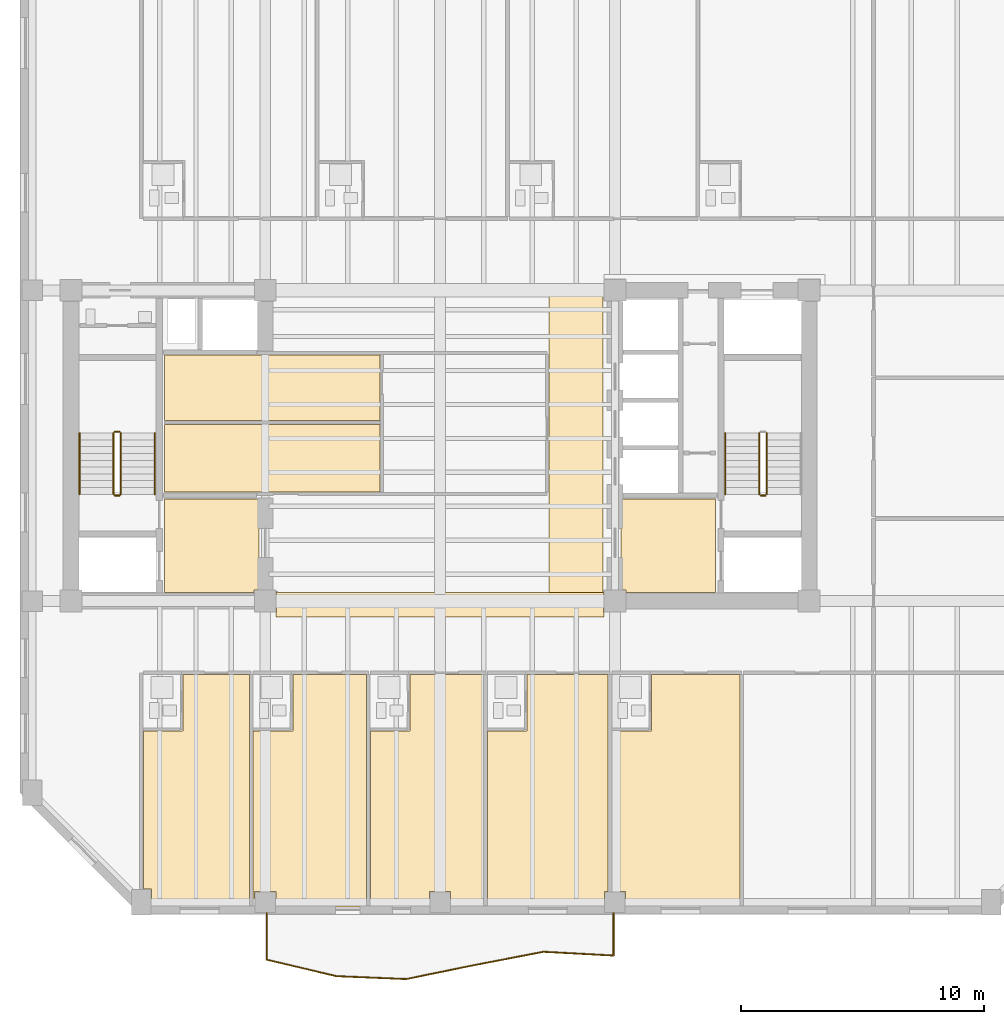
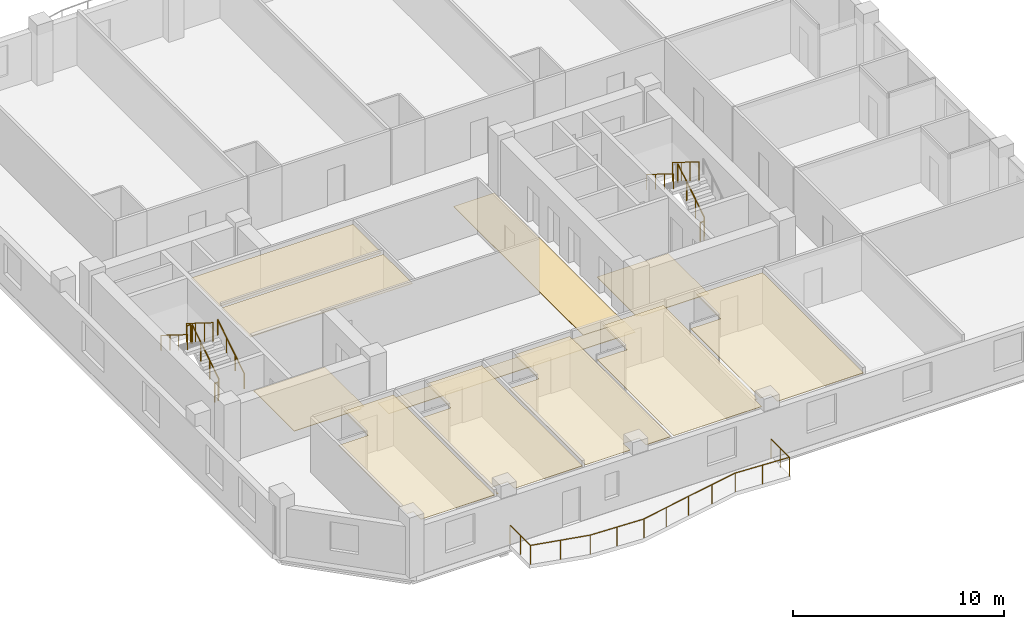
# One storey, part 8 of 11: 11 coverings, 11 railings.
"""IFC4 building model written with IfcOpenShell, lengths in metres."""

from ifc_helpers import new_model, si_unit, direction, frame, origin, origin_2d, place, context, subcontext, project, spatial, polyline, circle, outline, extrude, material, layer, layer_set, type_object, element, save


model = new_model("IFC4")

# Units and contexts
model_context = context("Model", 3, precision=1e-05, world=origin(), true_north=direction((0.0, 1.0)))
body_context = subcontext(model_context, "Body", "Model", "MODEL_VIEW")
ifc_project = project(units=[si_unit("LENGTHUNIT", "METRE"), si_unit("AREAUNIT", "SQUARE_METRE"), si_unit("VOLUMEUNIT", "CUBIC_METRE"), si_unit("PLANEANGLEUNIT", "RADIAN"), si_unit("MASSUNIT", "GRAM", prefix="KILO")], contexts=[model_context])

# Site, building, storey
site_placement = place(None, origin())
site = spatial("IfcSite", under=ifc_project, at=site_placement, CompositionType="ELEMENT")
building_placement = place(site_placement, origin())
building = spatial("IfcBuilding", under=site, at=building_placement, Name="Kranthara Brick Stack", CompositionType="ELEMENT")
storey_placement = place(building_placement, frame((0.0, 0.0, 172.800048828125)))
storey = spatial("IfcBuildingStorey", under=building, at=storey_placement, Name="L44", CompositionType="ELEMENT", Elevation=172.800048828125)

# Coverings
ifc_material_1 = material(Name="Perforated mineral-fibre acoustic ceiling tile", Category="other")
ifc_layer_1 = layer(ifc_material_1, 0.02490234375)
ifc_layer_set_1 = layer_set([ifc_layer_1], Name="Perforated mineral-fibre acoustic ceiling tile")
covering_type_1 = type_object("IfcCoveringType", Name="COV-CEIL-ACOUSTIC", PredefinedType="CEILING", material=ifc_layer_set_1)
covering_1_placement = place(storey_placement, frame((0.0, 0.0, 2.929931640625)))
element("IfcCovering", 1, at=covering_1_placement, inside=storey, type_object=covering_type_1, Name="L44 L44 Hotel Reading Room Acoustic Ceiling", PredefinedType="CEILING", context=body_context, shape_type="SweptSolid", body=[
    extrude(outline(polyline([(25.52001953125, 25.300048828125), (25.52001953125, 28.070068359375), (16.64990234375, 28.070068359375), (16.64990234375, 25.300048828125), (25.52001953125, 25.300048828125)])), origin(), (0.0, 0.0, 1.0), 0.02490234375),
])
covering_2_placement = place(storey_placement, frame((0.0, 0.0, 2.929931640625)))
element("IfcCovering", 2, at=covering_2_placement, inside=storey, type_object=covering_type_1, Name="L44 L44 Hotel Executive Briefing Salon Acoustic Ceiling", PredefinedType="CEILING", context=body_context, shape_type="SweptSolid", body=[
    extrude(outline(polyline([(25.52001953125, 28.22998046875), (25.52001953125, 30.93994140625), (16.64990234375, 30.93994140625), (16.64990234375, 28.22998046875), (25.52001953125, 28.22998046875)])), origin(), (0.0, 0.0, 1.0), 0.02490234375),
])
covering_3_placement = place(storey_placement, frame((0.0, 0.0, 2.929931640625)))
element("IfcCovering", 3, at=covering_3_placement, inside=storey, type_object=covering_type_1, Name="L44 Room L44-01 Hotel Guest Room Acoustic Ceiling", PredefinedType="CEILING", context=body_context, shape_type="SweptSolid", body=[
    extrude(outline(polyline([(15.780029296875, 15.4599609375), (17.409912109375, 15.4599609375), (17.409912109375, 17.77001953125), (20.14306640625, 17.77001953125), (20.14306640625, 8.199951171875), (16.110107421875, 8.199951171875), (16.110107421875, 8.93505859375), (15.780029296875, 8.93505859375), (15.780029296875, 15.4599609375)])), origin(), (0.0, 0.0, 1.0), 0.02490234375),
])
covering_4_placement = place(storey_placement, frame((0.0, 0.0, 2.929931640625)))
element("IfcCovering", 4, at=covering_4_placement, inside=storey, type_object=covering_type_1, Name="L44 Room L44-02 Hotel Guest Room Acoustic Ceiling", PredefinedType="CEILING", context=body_context, shape_type="SweptSolid", body=[
    extrude(outline(polyline([(20.302978515625, 8.199951171875), (20.302978515625, 15.4599609375), (21.93310546875, 15.4599609375), (21.93310546875, 17.77001953125), (24.967041015625, 17.77001953125), (24.967041015625, 8.199951171875), (21.235107421875, 8.199951171875), (21.235107421875, 8.8349609375), (20.364990234375, 8.8349609375), (20.364990234375, 8.199951171875), (20.302978515625, 8.199951171875)])), origin(), (0.0, 0.0, 1.0), 0.02490234375),
])
covering_5_placement = place(storey_placement, frame((0.0, 0.0, 2.929931640625)))
element("IfcCovering", 5, at=covering_5_placement, inside=storey, type_object=covering_type_1, Name="L44 Room L44-03 Hotel Guest Room Acoustic Ceiling", PredefinedType="CEILING", context=body_context, shape_type="SweptSolid", body=[
    extrude(outline(polyline([(25.126953125, 8.199951171875), (25.126953125, 15.4599609375), (26.757080078125, 15.4599609375), (26.757080078125, 17.77001953125), (29.7900390625, 17.77001953125), (29.7900390625, 8.199951171875), (28.43505859375, 8.199951171875), (28.43505859375, 8.8349609375), (27.56494140625, 8.8349609375), (27.56494140625, 8.199951171875), (25.126953125, 8.199951171875)])), origin(), (0.0, 0.0, 1.0), 0.02490234375),
])
covering_6_placement = place(storey_placement, frame((0.0, 0.0, 2.929931640625)))
element("IfcCovering", 6, at=covering_6_placement, inside=storey, type_object=covering_type_1, Name="L44 Room L44-04 Hotel Guest Room Acoustic Ceiling", PredefinedType="CEILING", context=body_context, shape_type="SweptSolid", body=[
    extrude(outline(polyline([(29.949951171875, 8.199951171875), (29.949951171875, 15.4599609375), (31.580078125, 15.4599609375), (31.580078125, 17.77001953125), (34.916015625, 17.77001953125), (34.916015625, 8.8349609375), (34.764892578125, 8.8349609375), (34.764892578125, 8.199951171875), (29.949951171875, 8.199951171875)])), origin(), (0.0, 0.0, 1.0), 0.02490234375),
])
covering_7_placement = place(storey_placement, frame((0.0, 0.0, 2.929931640625)))
element("IfcCovering", 7, at=covering_7_placement, inside=storey, type_object=covering_type_1, Name="L44 Room L44-05 Hotel Guest Room Acoustic Ceiling", PredefinedType="CEILING", context=body_context, shape_type="SweptSolid", body=[
    extrude(outline(polyline([(35.075927734375, 15.4599609375), (36.7060546875, 15.4599609375), (36.7060546875, 17.77001953125), (40.343017578125, 17.77001953125), (40.343017578125, 8.199951171875), (35.635009765625, 8.199951171875), (35.635009765625, 8.8349609375), (35.075927734375, 8.8349609375), (35.075927734375, 15.4599609375)])), origin(), (0.0, 0.0, 1.0), 0.02490234375),
])
ifc_material_2 = material(Name="Honed terrazzo and porcelain floor finish", Category="stone")
ifc_layer_2 = layer(ifc_material_2, 0.030029296875)
ifc_layer_set_2 = layer_set([ifc_layer_2], Name="Honed terrazzo and porcelain floor finish")
covering_type_2 = type_object("IfcCoveringType", Name="COV-FLOR-STONE", PredefinedType="FLOORING", material=ifc_layer_set_2)
covering_8_placement = place(storey_placement, origin())
element("IfcCovering", 8, at=covering_8_placement, inside=storey, type_object=covering_type_2, Name="L44 Lift Lobby Stone Flooring", PredefinedType="FLOORING", context=body_context, shape_type="SweptSolid", body=[
    extrude(outline(polyline([(16.64990234375, 21.14990234375), (16.64990234375, 25.0), (20.550048828125, 25.0), (20.550048828125, 21.260009765625), (20.340087890625, 21.260009765625), (20.340087890625, 21.14990234375), (16.64990234375, 21.14990234375)])), origin(), (0.0, 0.0, 1.0), 0.030029296875),
])
covering_9_placement = place(storey_placement, origin())
element("IfcCovering", 9, at=covering_9_placement, inside=storey, type_object=covering_type_2, Name="L44 Lift Lobby Stone Flooring", PredefinedType="FLOORING", context=body_context, shape_type="SweptSolid", body=[
    extrude(outline(polyline([(35.449951171875, 25.0), (39.35009765625, 25.0), (39.35009765625, 21.14990234375), (35.659912109375, 21.14990234375), (35.659912109375, 21.260009765625), (35.449951171875, 21.260009765625), (35.449951171875, 25.0)])), origin(), (0.0, 0.0, 1.0), 0.030029296875),
])
covering_10_placement = place(storey_placement, origin())
element("IfcCovering", 10, at=covering_10_placement, inside=storey, type_object=covering_type_2, Name="L44 Lift Lobby Stone Flooring", PredefinedType="FLOORING", context=body_context, shape_type="SweptSolid", body=[
    extrude(outline(polyline([(34.699951171875, 21.14990234375), (34.699951171875, 33.449951171875), (32.47998046875, 33.449951171875), (32.47998046875, 21.14990234375), (34.699951171875, 21.14990234375)])), origin(), (0.0, 0.0, 1.0), 0.030029296875),
])
covering_11_placement = place(storey_placement, origin())
element("IfcCovering", 11, at=covering_11_placement, inside=storey, type_object=covering_type_2, Name="L44 Lift Lobby Stone Flooring", PredefinedType="FLOORING", context=body_context, shape_type="SweptSolid", body=[
    extrude(outline(polyline([(21.25, 20.340087890625), (21.260009765625, 20.340087890625), (21.260009765625, 21.199951171875), (21.300048828125, 21.199951171875), (21.300048828125, 21.14990234375), (32.47998046875, 21.14990234375), (34.699951171875, 21.14990234375), (34.699951171875, 21.199951171875), (34.739990234375, 21.199951171875), (34.739990234375, 20.340087890625), (34.75, 20.340087890625), (34.75, 20.14990234375), (21.25, 20.14990234375), (21.25, 20.340087890625)])), origin(), (0.0, 0.0, 1.0), 0.030029296875),
])

# Railings
ifc_material_3 = material(Name="Bronze anodised aluminium and laminated glass balustrade", Category="aluminium")
railing_type_1 = type_object("IfcRailingType", Name="RL-BALC-1120", PredefinedType="BALUSTRADE", material=ifc_material_3)
railing_1_placement = place(storey_placement, frame((35.139892578125, 7.9599609375, 0.0)))
element("IfcRailing", 12, at=railing_1_placement, inside=storey, type_object=railing_type_1, Name="L44 South Rippling Balcony Balustrade", PredefinedType="BALUSTRADE", context=body_context, shape_type="SweptSolid", body=[
    extrude(circle(Radius=0.02392578125, at=origin_2d()), frame((0.0, 0.0, 1.09619140625), z_axis=(0.0, -1.0, 0.0), x_axis=(1.0, 0.0, 0.0)), (0.0, 0.0, 1.0), 1.758056640625),
    extrude(circle(Radius=0.02392578125, at=origin_2d()), frame((0.0, -1.758056640625, 1.09619140625), z_axis=(-0.998540546458, 0.054007194697, 0.0), x_axis=(-0.054007194697, -0.998540546458, 0.0)), (0.0, 0.0, 1.0), 2.884033203125),
    extrude(circle(Radius=0.02392578125, at=origin_2d()), frame((-2.8798828125, -1.602294921875, 1.09619140625), z_axis=(-0.981935030724, -0.189218380284, 0.0), x_axis=(0.189218380284, -0.981935030724, 0.0)), (0.0, 0.0, 1.0), 2.928955078125),
    extrude(circle(Radius=0.02392578125, at=origin_2d()), frame((-5.755859375, -2.156494140625, 1.09619140625), z_axis=(-0.979659172213, -0.200668648023, 0.0), x_axis=(0.200668648023, -0.979659172213, 0.0)), (0.0, 0.0, 1.0), 2.834716796875),
    extrude(circle(Radius=0.02392578125, at=origin_2d()), frame((-8.532958984375, -2.725341796875, 1.09619140625), z_axis=(-0.999152564619, 0.041160085222, 0.0), x_axis=(-0.041160085222, -0.999152564619, 0.0)), (0.0, 0.0, 1.0), 2.870849609375),
    extrude(circle(Radius=0.02392578125, at=origin_2d()), frame((-11.4013671875, -2.607177734375, 1.09619140625), z_axis=(-0.97329469968, 0.229559202766, 0.0), x_axis=(-0.229559202766, -0.97329469968, 0.0)), (0.0, 0.0, 1.0), 2.957763671875),
    extrude(circle(Radius=0.02392578125, at=origin_2d()), frame((-14.280029296875, -1.92822265625, 1.09619140625), z_axis=(0.000126614332, 0.999999991984, 0.0), x_axis=(-0.999999991984, 0.000126614332, 0.0)), (0.0, 0.0, 1.0), 1.92822265625),
    extrude(circle(Radius=0.02099609375, at=origin_2d()), origin(), (0.0, 0.0, 1.0), 1.072021484375),
    extrude(circle(Radius=0.02099609375, at=origin_2d()), frame((0.0, -0.87890625, 0.0)), (0.0, 0.0, 1.0), 1.072021484375),
    extrude(circle(Radius=0.02099609375, at=origin_2d()), frame((0.0, -1.758056640625, 0.0)), (0.0, 0.0, 1.0), 1.072021484375),
    extrude(circle(Radius=0.02099609375, at=origin_2d()), frame((-1.43994140625, -1.68017578125, 0.0)), (0.0, 0.0, 1.0), 1.072021484375),
    extrude(circle(Radius=0.02099609375, at=origin_2d()), frame((-2.8798828125, -1.602294921875, 0.0)), (0.0, 0.0, 1.0), 1.072021484375),
    extrude(circle(Radius=0.02099609375, at=origin_2d()), frame((-4.31787109375, -1.87939453125, 0.0)), (0.0, 0.0, 1.0), 1.072021484375),
    extrude(circle(Radius=0.02099609375, at=origin_2d()), frame((-5.755859375, -2.156494140625, 0.0)), (0.0, 0.0, 1.0), 1.072021484375),
    extrude(circle(Radius=0.02099609375, at=origin_2d()), frame((-7.14453125, -2.44091796875, 0.0)), (0.0, 0.0, 1.0), 1.072021484375),
    extrude(circle(Radius=0.02099609375, at=origin_2d()), frame((-8.532958984375, -2.725341796875, 0.0)), (0.0, 0.0, 1.0), 1.072021484375),
    extrude(circle(Radius=0.02099609375, at=origin_2d()), frame((-9.96728515625, -2.666259765625, 0.0)), (0.0, 0.0, 1.0), 1.072021484375),
    extrude(circle(Radius=0.02099609375, at=origin_2d()), frame((-11.4013671875, -2.607177734375, 0.0)), (0.0, 0.0, 1.0), 1.072021484375),
    extrude(circle(Radius=0.02099609375, at=origin_2d()), frame((-12.8408203125, -2.267578125, 0.0)), (0.0, 0.0, 1.0), 1.072021484375),
    extrude(circle(Radius=0.02099609375, at=origin_2d()), frame((-14.280029296875, -1.92822265625, 0.0)), (0.0, 0.0, 1.0), 1.072021484375),
    extrude(circle(Radius=0.02099609375, at=origin_2d()), frame((-14.27978515625, -0.964111328125, 0.0)), (0.0, 0.0, 1.0), 1.072021484375),
    extrude(circle(Radius=0.02099609375, at=origin_2d()), frame((-14.27978515625, 0.0, 0.0)), (0.0, 0.0, 1.0), 1.072021484375),
])
ifc_material_4 = material(Name="Painted galvanized steel stair guardrail", Category="steel")
railing_type_2 = type_object("IfcRailingType", Name="RL-STAIR-GUARD-1100", PredefinedType="GUARDRAIL", material=ifc_material_4)
railing_2_placement = place(storey_placement, frame((14.85009765625, 25.199951171875, 0.175048828125)))
element("IfcRailing", 13, at=railing_2_placement, inside=storey, type_object=railing_type_2, Name="L44 ST01 stair guard 1", PredefinedType="GUARDRAIL", context=body_context, shape_type="SweptSolid", body=[
    extrude(circle(Radius=0.02392578125, at=origin_2d()), frame((0.0, 0.0, 1.076171875), z_axis=(0.0, 0.848007534815, 0.529984170421), x_axis=(-1.0, 0.0, 0.0)), (0.0, 0.0, 1.0), 2.9716796875),
    extrude(circle(Radius=0.02099609375, at=origin_2d()), origin(), (0.0, 0.0, 1.0), 1.052001953125),
    extrude(circle(Radius=0.02099609375, at=origin_2d()), frame((0.0, 0.840087890625, 0.52490234375)), (0.0, 0.0, 1.0), 1.052001953125),
    extrude(circle(Radius=0.02099609375, at=origin_2d()), frame((0.0, 1.679931640625, 1.050048828125)), (0.0, 0.0, 1.0), 1.052001953125),
    extrude(circle(Radius=0.02099609375, at=origin_2d()), frame((0.0, 2.52001953125, 1.574951171875)), (0.0, 0.0, 1.0), 1.052001953125),
])
railing_3_placement = place(storey_placement, frame((14.800048828125, 27.77001953125, 1.75)))
element("IfcRailing", 14, at=railing_3_placement, inside=storey, type_object=railing_type_2, Name="L44 ST01 stair guard 2", PredefinedType="GUARDRAIL", context=body_context, shape_type="SweptSolid", body=[
    extrude(circle(Radius=0.02392578125, at=origin_2d()), frame((0.0, 0.0, 1.076171875), z_axis=(-1.0, 0.0, 0.0), x_axis=(0.0, -1.0, 0.0)), (0.0, 0.0, 1.0), 0.199951171875),
    extrude(circle(Radius=0.02099609375, at=origin_2d()), origin(), (0.0, 0.0, 1.0), 1.052001953125),
    extrude(circle(Radius=0.02099609375, at=origin_2d()), frame((-0.199951171875, 0.0, 0.0)), (0.0, 0.0, 1.0), 1.052001953125),
])
railing_4_placement = place(storey_placement, frame((14.550048828125, 27.719970703125, 1.925048828125)))
element("IfcRailing", 15, at=railing_4_placement, inside=storey, type_object=railing_type_2, Name="L44 ST01 stair guard 3", PredefinedType="GUARDRAIL", context=body_context, shape_type="SweptSolid", body=[
    extrude(circle(Radius=0.02392578125, at=origin_2d()), frame((0.0, 0.0, 1.076171875), z_axis=(0.0, -0.848007534815, 0.529984170421), x_axis=(1.0, 0.0, 0.0)), (0.0, 0.0, 1.0), 2.9716796875),
    extrude(circle(Radius=0.02099609375, at=origin_2d()), origin(), (0.0, 0.0, 1.0), 1.052001953125),
    extrude(circle(Radius=0.02099609375, at=origin_2d()), frame((0.0, -0.840087890625, 0.52490234375)), (0.0, 0.0, 1.0), 1.052001953125),
    extrude(circle(Radius=0.02099609375, at=origin_2d()), frame((0.0, -1.679931640625, 1.050048828125)), (0.0, 0.0, 1.0), 1.052001953125),
    extrude(circle(Radius=0.02099609375, at=origin_2d()), frame((0.0, -2.52001953125, 1.574951171875)), (0.0, 0.0, 1.0), 1.052001953125),
])
railing_5_placement = place(storey_placement, frame((14.800048828125, 25.14990234375, 0.0)))
element("IfcRailing", 16, at=railing_5_placement, inside=storey, type_object=railing_type_2, Name="L44 ST01 stair guard 4", PredefinedType="GUARDRAIL", context=body_context, shape_type="SweptSolid", body=[
    extrude(circle(Radius=0.02392578125, at=origin_2d()), frame((0.0, 0.0, 1.076171875), z_axis=(-1.0, 0.0, 0.0), x_axis=(0.0, -1.0, 0.0)), (0.0, 0.0, 1.0), 0.199951171875),
    extrude(circle(Radius=0.02099609375, at=origin_2d()), origin(), (0.0, 0.0, 1.0), 1.052001953125),
    extrude(circle(Radius=0.02099609375, at=origin_2d()), frame((-0.199951171875, 0.0, 0.0)), (0.0, 0.0, 1.0), 1.052001953125),
])
railing_6_placement = place(storey_placement, frame((41.449951171875, 25.199951171875, 0.175048828125)))
element("IfcRailing", 17, at=railing_6_placement, inside=storey, type_object=railing_type_2, Name="L44 ST02 stair guard 1", PredefinedType="GUARDRAIL", context=body_context, shape_type="SweptSolid", body=[
    extrude(circle(Radius=0.02392578125, at=origin_2d()), frame((0.0, 0.0, 1.076171875), z_axis=(0.0, 0.848007534815, 0.529984170421), x_axis=(-1.0, 0.0, 0.0)), (0.0, 0.0, 1.0), 2.9716796875),
    extrude(circle(Radius=0.02099609375, at=origin_2d()), origin(), (0.0, 0.0, 1.0), 1.052001953125),
    extrude(circle(Radius=0.02099609375, at=origin_2d()), frame((0.0, 0.840087890625, 0.52490234375)), (0.0, 0.0, 1.0), 1.052001953125),
    extrude(circle(Radius=0.02099609375, at=origin_2d()), frame((0.0, 1.679931640625, 1.050048828125)), (0.0, 0.0, 1.0), 1.052001953125),
    extrude(circle(Radius=0.02099609375, at=origin_2d()), frame((0.0, 2.52001953125, 1.574951171875)), (0.0, 0.0, 1.0), 1.052001953125),
])
railing_7_placement = place(storey_placement, frame((41.14990234375, 27.719970703125, 1.925048828125)))
element("IfcRailing", 18, at=railing_7_placement, inside=storey, type_object=railing_type_2, Name="L44 ST02 stair guard 3", PredefinedType="GUARDRAIL", context=body_context, shape_type="SweptSolid", body=[
    extrude(circle(Radius=0.02392578125, at=origin_2d()), frame((0.0, 0.0, 1.076171875), z_axis=(0.0, -0.848007534815, 0.529984170421), x_axis=(1.0, 0.0, 0.0)), (0.0, 0.0, 1.0), 2.9716796875),
    extrude(circle(Radius=0.02099609375, at=origin_2d()), origin(), (0.0, 0.0, 1.0), 1.052001953125),
    extrude(circle(Radius=0.02099609375, at=origin_2d()), frame((0.0, -0.840087890625, 0.52490234375)), (0.0, 0.0, 1.0), 1.052001953125),
    extrude(circle(Radius=0.02099609375, at=origin_2d()), frame((0.0, -1.679931640625, 1.050048828125)), (0.0, 0.0, 1.0), 1.052001953125),
    extrude(circle(Radius=0.02099609375, at=origin_2d()), frame((0.0, -2.52001953125, 1.574951171875)), (0.0, 0.0, 1.0), 1.052001953125),
])
railing_8_placement = place(storey_placement, frame((41.39990234375, 25.14990234375, 0.0)))
element("IfcRailing", 19, at=railing_8_placement, inside=storey, type_object=railing_type_2, Name="L44 ST02 stair guard 4", PredefinedType="GUARDRAIL", context=body_context, shape_type="SweptSolid", body=[
    extrude(circle(Radius=0.02392578125, at=origin_2d()), frame((0.0, 0.0, 1.076171875), z_axis=(-1.0, 0.0, 0.0), x_axis=(0.0, -1.0, 0.0)), (0.0, 0.0, 1.0), 0.199951171875),
    extrude(circle(Radius=0.02099609375, at=origin_2d()), origin(), (0.0, 0.0, 1.0), 1.052001953125),
    extrude(circle(Radius=0.02099609375, at=origin_2d()), frame((-0.199951171875, 0.0, 0.0)), (0.0, 0.0, 1.0), 1.052001953125),
])
ifc_material_5 = material(Name="Brushed stainless steel tubular handrail", Category="steel")
railing_type_3 = type_object("IfcRailingType", Name="RL-STAIR-HAND-900", PredefinedType="HANDRAIL", material=ifc_material_5)
railing_9_placement = place(storey_placement, frame((16.25, 25.199951171875, 0.175048828125)))
element("IfcRailing", 20, at=railing_9_placement, inside=storey, type_object=railing_type_3, Name="L44 ST01 stair handrail 1", PredefinedType="HANDRAIL", context=body_context, shape_type="SweptSolid", body=[
    extrude(circle(Radius=0.02392578125, at=origin_2d()), frame((0.0, 0.0, 0.8759765625), z_axis=(0.0, 0.848007534815, 0.529984170421), x_axis=(-1.0, 0.0, 0.0)), (0.0, 0.0, 1.0), 2.9716796875),
    extrude(circle(Radius=0.02099609375, at=origin_2d()), origin(), (0.0, 0.0, 1.0), 0.851806640625),
    extrude(circle(Radius=0.02099609375, at=origin_2d()), frame((0.0, 0.840087890625, 0.52490234375)), (0.0, 0.0, 1.0), 0.851806640625),
    extrude(circle(Radius=0.02099609375, at=origin_2d()), frame((0.0, 1.679931640625, 1.050048828125)), (0.0, 0.0, 1.0), 0.851806640625),
    extrude(circle(Radius=0.02099609375, at=origin_2d()), frame((0.0, 2.52001953125, 1.574951171875)), (0.0, 0.0, 1.0), 0.851806640625),
])
for number, where, name in (
    (21, (13.14990234375, 27.719970703125, 1.925048828125), "L44 ST01 stair handrail 2"),
    (22, (39.75, 27.719970703125, 1.925048828125), "L44 ST02 stair handrail 2"),
):
    element("IfcRailing", number, at=place(storey_placement, frame(where)), inside=storey, type_object=railing_type_3, Name=name, PredefinedType="HANDRAIL", context=body_context, shape_type="SweptSolid", body=[
        extrude(circle(Radius=0.02392578125, at=origin_2d()), frame((0.0, 0.0, 0.8759765625), z_axis=(0.0, -0.848007534815, 0.529984170421), x_axis=(1.0, 0.0, 0.0)), (0.0, 0.0, 1.0), 2.9716796875),
        extrude(circle(Radius=0.02099609375, at=origin_2d()), origin(), (0.0, 0.0, 1.0), 0.851806640625),
        extrude(circle(Radius=0.02099609375, at=origin_2d()), frame((0.0, -0.840087890625, 0.52490234375)), (0.0, 0.0, 1.0), 0.851806640625),
        extrude(circle(Radius=0.02099609375, at=origin_2d()), frame((0.0, -1.679931640625, 1.050048828125)), (0.0, 0.0, 1.0), 0.851806640625),
        extrude(circle(Radius=0.02099609375, at=origin_2d()), frame((0.0, -2.52001953125, 1.574951171875)), (0.0, 0.0, 1.0), 0.851806640625),
    ])

save(model, "model.ifc")
